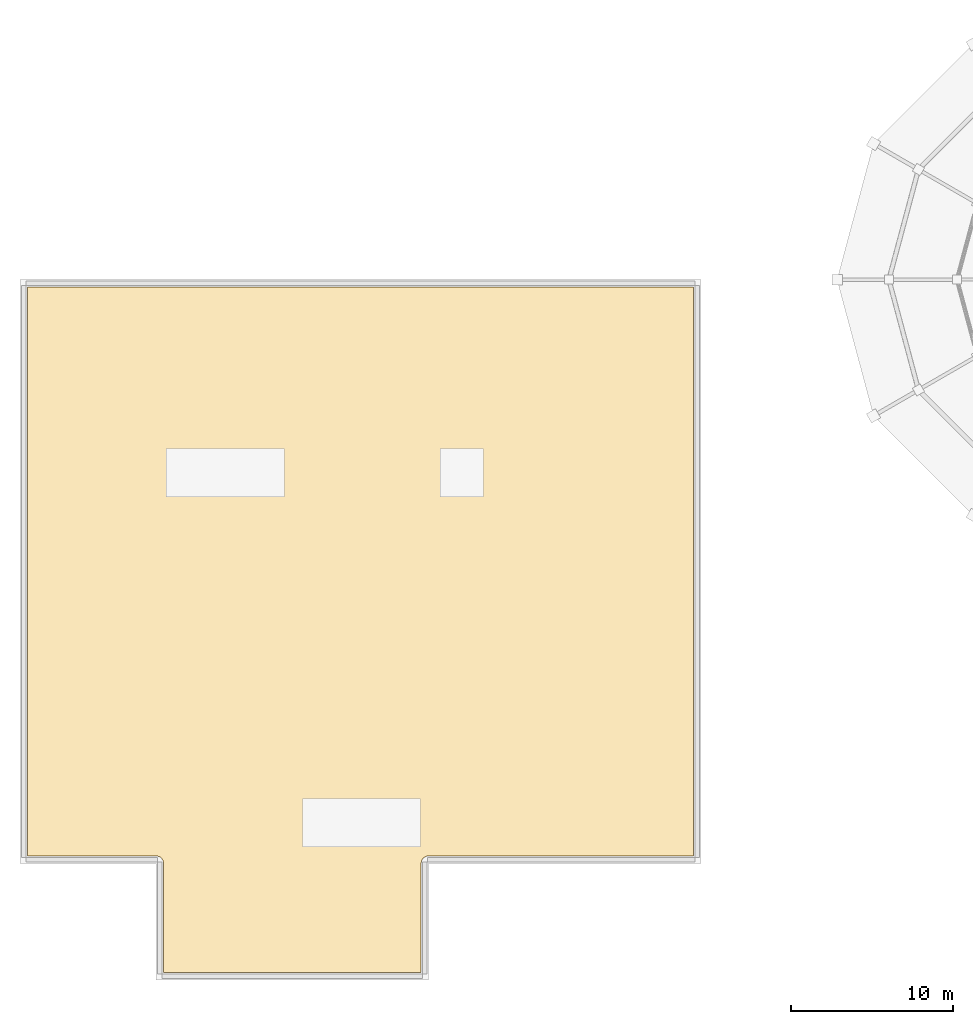
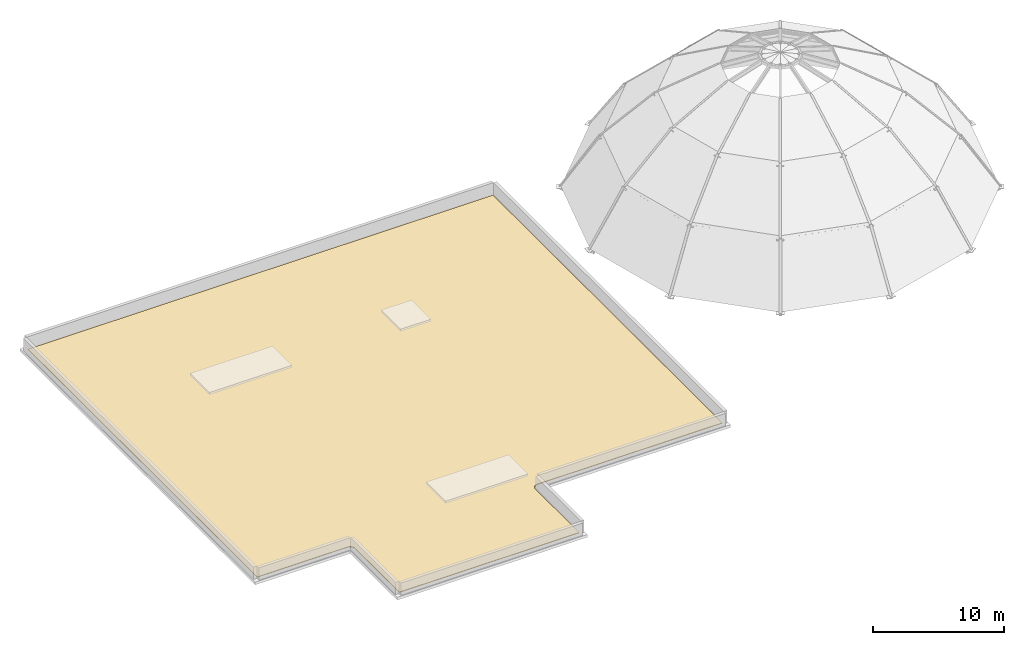
# One storey, part 5 of 5: 1 covering.
"""IFC4 building model written with IfcOpenShell, lengths in metres."""

import ifcopenshell
import ifcopenshell.guid

model = None  # the IFC model being written
_history = None  # IfcOwnerHistory: only IFC2X3 demands one
_inside = {}  # id of a spatial element -> (the spatial element, [elements in it])
_under = {}  # id of a project, library or spatial element -> (it, [spatial elements below it])
_declared = {}  # id of a project -> (the project, [libraries it declares])
_typed = {}  # id of a type object -> (the type object, [elements of that type])
_made_of = {}  # id of a material, layer set ... -> (it, [elements and type objects made of it])


def new_model(schema):
    """Start an empty IFC model of exactly this schema.

    Asked for "IFC4X3", IfcOpenShell would pick the latest addendum, in which some entities
    have other attributes; the version numbers below select the first issue.
    IFC2X3 requires an IfcOwnerHistory on every rooted entity: one is made here for all.
    """
    global model, _history
    if schema == "IFC4X3":
        model = ifcopenshell.file(schema_version=(4, 3, 0, 0))
    else:
        model = ifcopenshell.file(schema=schema)
    _inside.clear()
    _under.clear()
    _declared.clear()
    _typed.clear()
    _made_of.clear()
    _history = None
    if model.schema == "IFC2X3":
        org = make("IfcOrganization", Name="unknown")
        user = make(
            "IfcPersonAndOrganization",
            ThePerson=make("IfcPerson", FamilyName="unknown"),
            TheOrganization=org,
        )
        app = make(
            "IfcApplication",
            ApplicationDeveloper=org,
            Version="unknown",
            ApplicationFullName="unknown",
            ApplicationIdentifier="unknown",
        )
        _history = make(
            "IfcOwnerHistory",
            OwningUser=user,
            OwningApplication=app,
            ChangeAction="ADDED",
            CreationDate=0,
        )
    return model


def make(cls, **values):
    """One entity of the class cls with the attributes given. An attribute that is None is left unset."""
    return model.create_entity(
        cls, **{name: value for name, value in values.items() if value is not None}
    )


def rooted(cls, **values):
    """An entity with a GlobalId (a new one), such as an element, a storey or a relation."""
    return make(cls, GlobalId=ifcopenshell.guid.new(), OwnerHistory=_history, **values)


def si_unit(unit_type, name, prefix=None):
    """IfcSIUnit, for example si_unit("LENGTHUNIT", "METRE", prefix="MILLI")."""
    return make("IfcSIUnit", UnitType=unit_type, Prefix=prefix, Name=name)


def derived_unit(unit_type, elements):
    """IfcDerivedUnit: a product of units, each with its exponent."""
    return make(
        "IfcDerivedUnit",
        Elements=[
            make("IfcDerivedUnitElement", Unit=unit, Exponent=power)
            for unit, power in elements
        ],
        UnitType=unit_type,
    )


def assignment(units):
    """IfcUnitAssignment: the units of a project."""
    return None if units is None else make("IfcUnitAssignment", Units=units)


def point(xyz):
    """IfcCartesianPoint."""
    return None if xyz is None else make("IfcCartesianPoint", Coordinates=xyz)


def direction(xyz):
    """IfcDirection."""
    return None if xyz is None else make("IfcDirection", DirectionRatios=xyz)


def frame(location, z_axis=None, x_axis=None):
    """IfcAxis2Placement3D, a coordinate frame: its origin and axes. An axis left out is left unset."""
    return make(
        "IfcAxis2Placement3D",
        Location=point(location),
        Axis=direction(z_axis),
        RefDirection=direction(x_axis),
    )


def origin():
    """The frame at (0, 0, 0) with its axes left unset."""
    return frame((0.0, 0.0, 0.0))


def place(relative_to, where):
    """IfcLocalPlacement: puts the frame where relative to a parent placement (None: the world)."""
    return make(
        "IfcLocalPlacement", PlacementRelTo=relative_to, RelativePlacement=where
    )


def context(
    kind, dimensions, precision=None, world=None, true_north=None, identifier=None
):
    """IfcGeometricRepresentationContext, for example the 3D "Model" context."""
    return make(
        "IfcGeometricRepresentationContext",
        ContextIdentifier=identifier,
        ContextType=kind,
        CoordinateSpaceDimension=dimensions,
        Precision=precision,
        WorldCoordinateSystem=world,
        TrueNorth=true_north,
    )


def subcontext(parent, identifier, kind, view, scale=None):
    """IfcGeometricRepresentationSubContext, for example "Body" below "Model"."""
    return make(
        "IfcGeometricRepresentationSubContext",
        ContextIdentifier=identifier,
        ContextType=kind,
        ParentContext=parent,
        TargetScale=scale,
        TargetView=view,
    )


def project(units=None, contexts=None):
    """IfcProject with its units and contexts."""
    return rooted(
        "IfcProject",
        Name="project",
        RepresentationContexts=contexts,
        UnitsInContext=assignment(units),
    )


def spatial(cls, under=None, at=None, **own):
    """A site, building, storey or space (cls), placed at a placement, below another one or the project."""
    s = rooted(cls, ObjectPlacement=at, **own)
    if under is not None:
        _under.setdefault(under.id(), (under, []))[1].append(s)
    return s


def polyline(points):
    """IfcPolyline through the points."""
    return make("IfcPolyline", Points=[point(p) for p in points])


def outline(outer, holes=None, kind="AREA"):
    """IfcArbitraryClosedProfileDef: a profile drawn as a closed curve; with holes, ...WithVoids."""
    if holes is None:
        return make("IfcArbitraryClosedProfileDef", ProfileType=kind, OuterCurve=outer)
    return make(
        "IfcArbitraryProfileDefWithVoids",
        ProfileType=kind,
        OuterCurve=outer,
        InnerCurves=holes,
    )


def extrude(swept, where, along, depth):
    """IfcExtrudedAreaSolid: the profile swept, set in the frame where, extruded along a direction by depth."""
    return make(
        "IfcExtrudedAreaSolid",
        SweptArea=swept,
        Position=where,
        ExtrudedDirection=direction(along),
        Depth=depth,
    )


def shape(context_of_items, identifier, shape_type, items):
    """IfcShapeRepresentation: the items that make up one representation, for example the "Body"."""
    return make(
        "IfcShapeRepresentation",
        ContextOfItems=context_of_items,
        RepresentationIdentifier=identifier,
        RepresentationType=shape_type,
        Items=items,
    )


def material(Name=None, Category=None):
    """IfcMaterial."""
    return make("IfcMaterial", Name=Name, Category=Category)


def layer(
    of_material, thickness, ventilated=None, Name=None, Category=None, Priority=None
):
    """IfcMaterialLayer: one layer of a wall or slab, of a material (None: an air gap)."""
    return make(
        "IfcMaterialLayer",
        Material=of_material,
        LayerThickness=thickness,
        IsVentilated=ventilated,
        Name=Name,
        Category=Category,
        Priority=Priority,
    )


def layer_set(layers, Name=None):
    """IfcMaterialLayerSet."""
    return make("IfcMaterialLayerSet", MaterialLayers=layers, LayerSetName=Name)


def made_of(thing, what):
    """Note that an element or type object is made of a material, layer set ...; save() writes the relation."""
    if what is not None:
        _made_of.setdefault(what.id(), (what, []))[1].append(thing)
    return thing


def type_object(cls, material=None, **own):
    """A type object (cls), such as IfcWallType, which elements share."""
    return made_of(rooted(cls, **own), material)


def element(
    cls,
    number,
    at=None,
    inside=None,
    cuts=None,
    type_object=None,
    material=None,
    context=None,
    identifier="Body",
    shape_type=None,
    held_by="IfcProductDefinitionShape",
    body=None,
    shapes=None,
    **own,
):
    """One element of the class cls, such as IfcWall. Its Tag is "e" and its number.

    at: its placement. inside: the storey or other place that contains it. cuts: it is an
    opening in that element (IfcRelVoidsElement). A single representation is given by context,
    identifier, shape_type and body (its items); several are given by shapes. held_by: the class
    of the entity that holds the representations. save() writes the other relations.
    """
    e = rooted(cls, Tag="e%d" % number, ObjectPlacement=at, **own)
    if body is not None:
        shapes = [shape(context, identifier, shape_type, body)]
    if shapes is not None:
        e.Representation = make(held_by, Representations=shapes)
    if inside is not None:
        _inside.setdefault(inside.id(), (inside, []))[1].append(e)
    if cuts is not None:
        rooted(
            "IfcRelVoidsElement", RelatingBuildingElement=cuts, RelatedOpeningElement=e
        )
    if type_object is not None:
        _typed.setdefault(type_object.id(), (type_object, []))[1].append(e)
    return made_of(e, material)


def aggregate(whole, parts):
    """IfcRelAggregates: a whole, such as a stair, and the parts it consists of."""
    return rooted("IfcRelAggregates", RelatingObject=whole, RelatedObjects=parts)


def save(model, path):
    """Write the relations noted so far, then the file.

    IfcRelAggregates (storeys below a building ...), IfcRelContainedInSpatialStructure (elements
    in a storey), IfcRelDefinesByType, IfcRelAssociatesMaterial and IfcRelDeclares: one each for
    every whole, place, type object, material and project.
    """
    for whole, parts in _under.values():
        aggregate(whole, parts)
    for where, things in _inside.values():
        rooted(
            "IfcRelContainedInSpatialStructure",
            RelatedElements=things,
            RelatingStructure=where,
        )
    for kind, things in _typed.values():
        rooted("IfcRelDefinesByType", RelatedObjects=things, RelatingType=kind)
    for what, things in _made_of.values():
        rooted("IfcRelAssociatesMaterial", RelatedObjects=things, RelatingMaterial=what)
    for by, libraries in _declared.values():
        rooted("IfcRelDeclares", RelatingContext=by, RelatedDefinitions=libraries)
    model.write(path)


model = new_model("IFC4")

# Units and contexts
model_context = context("Model", 3, precision=1e-05, world=origin(), true_north=direction((0.0, 1.0)))
body_context = subcontext(model_context, "Body", "Model", "MODEL_VIEW")
ifc_project = project(units=[si_unit("LENGTHUNIT", "METRE"), si_unit("AREAUNIT", "SQUARE_METRE"), si_unit("VOLUMEUNIT", "CUBIC_METRE"), si_unit("PLANEANGLEUNIT", "RADIAN"), si_unit("MASSUNIT", "GRAM", prefix="KILO"), derived_unit("THERMALTRANSMITTANCEUNIT", [(si_unit("POWERUNIT", "WATT"), 1), (si_unit("LENGTHUNIT", "METRE"), -2), (si_unit("THERMODYNAMICTEMPERATUREUNIT", "KELVIN"), -1)])], contexts=[model_context])

# Site, building, storey
site_placement = place(None, origin())
site = spatial("IfcSite", under=ifc_project, at=site_placement, CompositionType="ELEMENT")
building_placement = place(site_placement, origin())
building = spatial("IfcBuilding", under=site, at=building_placement, Name="Veybourne Emporium", CompositionType="ELEMENT")
storey_placement = place(building_placement, frame((0.0, 0.0, 36.60009765625)))
storey = spatial("IfcBuildingStorey", under=building, at=storey_placement, Name="ROOF", CompositionType="ELEMENT", Elevation=36.60009765625)

# Covering
ifc_material = material(Name="Single-Ply Warm Roof Membrane", Category="membrane")
ifc_layer = layer(ifc_material, 0.06005859375)
ifc_layer_set = layer_set([ifc_layer], Name="Single-Ply Warm Roof Membrane")
covering_type = type_object("IfcCoveringType", Name="Roofing_RFG-01", PredefinedType="ROOFING", material=ifc_layer_set)
covering_placement = place(storey_placement, origin())
element("IfcCovering", 1, at=covering_placement, inside=storey, type_object=covering_type, Name="ROOF warm-roof waterproofing membrane 1.1", PredefinedType="ROOFING", context=body_context, shape_type="SweptSolid", body=[
    extrude(outline(polyline([(17.25, 7.64990234375), (17.25, 14.39990234375), (17.247802734375, 14.444091796875), (17.241455078125, 14.48779296875), (17.230712890625, 14.530517578125), (17.2158203125, 14.572265625), (17.19677734375, 14.612060546875), (17.174072265625, 14.64990234375), (17.14794921875, 14.685546875), (17.1181640625, 14.71826171875), (17.08544921875, 14.747802734375), (17.050048828125, 14.774169921875), (17.01220703125, 14.796875), (16.97216796875, 14.815673828125), (16.9306640625, 14.83056640625), (16.8876953125, 14.84130859375), (16.843994140625, 14.847900390625), (16.800048828125, 14.85009765625), (8.85009765625, 14.85009765625), (8.85009765625, 49.949951171875), (49.949951171875, 49.949951171875), (49.949951171875, 14.85009765625), (33.60009765625, 14.85009765625), (33.555908203125, 14.847900390625), (33.51220703125, 14.84130859375), (33.469482421875, 14.83056640625), (33.427734375, 14.815673828125), (33.387939453125, 14.796875), (33.35009765625, 14.774169921875), (33.314453125, 14.747802734375), (33.28173828125, 14.71826171875), (33.252197265625, 14.685546875), (33.225830078125, 14.64990234375), (33.203125, 14.612060546875), (33.184326171875, 14.572265625), (33.16943359375, 14.530517578125), (33.15869140625, 14.48779296875), (33.152099609375, 14.444091796875), (33.14990234375, 14.39990234375), (33.14990234375, 7.64990234375), (17.25, 7.64990234375)])), origin(), (0.0, 0.0, 1.0), 0.059814453125),
])

save(model, "model.ifc")
